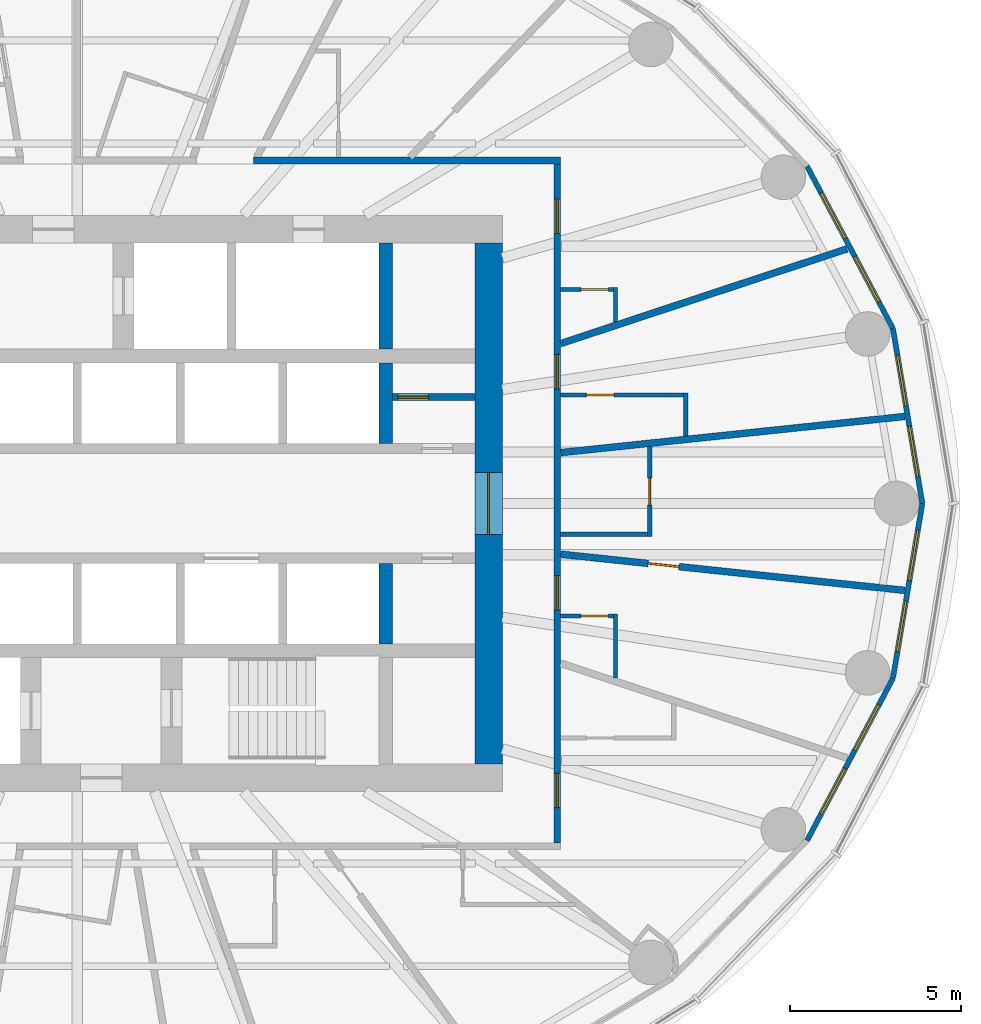
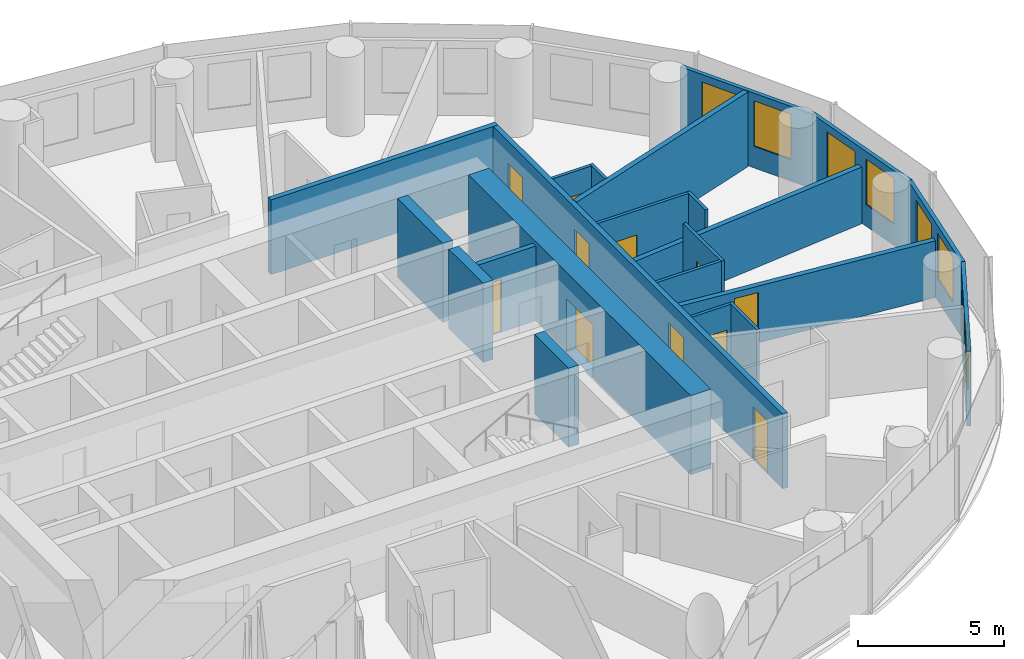
# One storey, part 10 of 13: 22 walls, 11 doors, 8 windows, 19 openings.
"""IFC4 building model written with IfcOpenShell, lengths in metres."""

import ifcopenshell
import ifcopenshell.guid

model = None  # the IFC model being written
_history = None  # IfcOwnerHistory: only IFC2X3 demands one
_inside = {}  # id of a spatial element -> (the spatial element, [elements in it])
_under = {}  # id of a project, library or spatial element -> (it, [spatial elements below it])
_declared = {}  # id of a project -> (the project, [libraries it declares])
_typed = {}  # id of a type object -> (the type object, [elements of that type])
_made_of = {}  # id of a material, layer set ... -> (it, [elements and type objects made of it])


def new_model(schema):
    """Start an empty IFC model of exactly this schema.

    Asked for "IFC4X3", IfcOpenShell would pick the latest addendum, in which some entities
    have other attributes; the version numbers below select the first issue.
    IFC2X3 requires an IfcOwnerHistory on every rooted entity: one is made here for all.
    """
    global model, _history
    if schema == "IFC4X3":
        model = ifcopenshell.file(schema_version=(4, 3, 0, 0))
    else:
        model = ifcopenshell.file(schema=schema)
    _inside.clear()
    _under.clear()
    _declared.clear()
    _typed.clear()
    _made_of.clear()
    _history = None
    if model.schema == "IFC2X3":
        org = make("IfcOrganization", Name="unknown")
        user = make(
            "IfcPersonAndOrganization",
            ThePerson=make("IfcPerson", FamilyName="unknown"),
            TheOrganization=org,
        )
        app = make(
            "IfcApplication",
            ApplicationDeveloper=org,
            Version="unknown",
            ApplicationFullName="unknown",
            ApplicationIdentifier="unknown",
        )
        _history = make(
            "IfcOwnerHistory",
            OwningUser=user,
            OwningApplication=app,
            ChangeAction="ADDED",
            CreationDate=0,
        )
    return model


def make(cls, **values):
    """One entity of the class cls with the attributes given. An attribute that is None is left unset."""
    return model.create_entity(
        cls, **{name: value for name, value in values.items() if value is not None}
    )


def rooted(cls, **values):
    """An entity with a GlobalId (a new one), such as an element, a storey or a relation."""
    return make(cls, GlobalId=ifcopenshell.guid.new(), OwnerHistory=_history, **values)


def si_unit(unit_type, name, prefix=None):
    """IfcSIUnit, for example si_unit("LENGTHUNIT", "METRE", prefix="MILLI")."""
    return make("IfcSIUnit", UnitType=unit_type, Prefix=prefix, Name=name)


def assignment(units):
    """IfcUnitAssignment: the units of a project."""
    return None if units is None else make("IfcUnitAssignment", Units=units)


def point(xyz):
    """IfcCartesianPoint."""
    return None if xyz is None else make("IfcCartesianPoint", Coordinates=xyz)


def direction(xyz):
    """IfcDirection."""
    return None if xyz is None else make("IfcDirection", DirectionRatios=xyz)


def frame(location, z_axis=None, x_axis=None):
    """IfcAxis2Placement3D, a coordinate frame: its origin and axes. An axis left out is left unset."""
    return make(
        "IfcAxis2Placement3D",
        Location=point(location),
        Axis=direction(z_axis),
        RefDirection=direction(x_axis),
    )


def frame_2d(location, x_axis=None):
    """IfcAxis2Placement2D, a coordinate frame in the plane: its origin and x axis."""
    return make(
        "IfcAxis2Placement2D", Location=point(location), RefDirection=direction(x_axis)
    )


def origin():
    """The frame at (0, 0, 0) with its axes left unset."""
    return frame((0.0, 0.0, 0.0))


def place(relative_to, where):
    """IfcLocalPlacement: puts the frame where relative to a parent placement (None: the world)."""
    return make(
        "IfcLocalPlacement", PlacementRelTo=relative_to, RelativePlacement=where
    )


def context(
    kind, dimensions, precision=None, world=None, true_north=None, identifier=None
):
    """IfcGeometricRepresentationContext, for example the 3D "Model" context."""
    return make(
        "IfcGeometricRepresentationContext",
        ContextIdentifier=identifier,
        ContextType=kind,
        CoordinateSpaceDimension=dimensions,
        Precision=precision,
        WorldCoordinateSystem=world,
        TrueNorth=true_north,
    )


def subcontext(parent, identifier, kind, view, scale=None):
    """IfcGeometricRepresentationSubContext, for example "Body" below "Model"."""
    return make(
        "IfcGeometricRepresentationSubContext",
        ContextIdentifier=identifier,
        ContextType=kind,
        ParentContext=parent,
        TargetScale=scale,
        TargetView=view,
    )


def project(units=None, contexts=None):
    """IfcProject with its units and contexts."""
    return rooted(
        "IfcProject",
        Name="project",
        RepresentationContexts=contexts,
        UnitsInContext=assignment(units),
    )


def spatial(cls, under=None, at=None, **own):
    """A site, building, storey or space (cls), placed at a placement, below another one or the project."""
    s = rooted(cls, ObjectPlacement=at, **own)
    if under is not None:
        _under.setdefault(under.id(), (under, []))[1].append(s)
    return s


def profile(cls, at=None, kind="AREA", **sizes):
    """A parametric profile (cls). Its sizes go by their IFC names, for example OverallWidth=200.0."""
    return make(cls, ProfileType=kind, Position=at, **sizes)


def rectangle(**sizes):
    """IfcRectangleProfileDef."""
    return profile("IfcRectangleProfileDef", **sizes)


def extrude(swept, where, along, depth):
    """IfcExtrudedAreaSolid: the profile swept, set in the frame where, extruded along a direction by depth."""
    return make(
        "IfcExtrudedAreaSolid",
        SweptArea=swept,
        Position=where,
        ExtrudedDirection=direction(along),
        Depth=depth,
    )


def shape(context_of_items, identifier, shape_type, items):
    """IfcShapeRepresentation: the items that make up one representation, for example the "Body"."""
    return make(
        "IfcShapeRepresentation",
        ContextOfItems=context_of_items,
        RepresentationIdentifier=identifier,
        RepresentationType=shape_type,
        Items=items,
    )


def material(Name=None, Category=None):
    """IfcMaterial."""
    return make("IfcMaterial", Name=Name, Category=Category)


def layer(
    of_material, thickness, ventilated=None, Name=None, Category=None, Priority=None
):
    """IfcMaterialLayer: one layer of a wall or slab, of a material (None: an air gap)."""
    return make(
        "IfcMaterialLayer",
        Material=of_material,
        LayerThickness=thickness,
        IsVentilated=ventilated,
        Name=Name,
        Category=Category,
        Priority=Priority,
    )


def layer_set(layers, Name=None):
    """IfcMaterialLayerSet."""
    return make("IfcMaterialLayerSet", MaterialLayers=layers, LayerSetName=Name)


def made_of(thing, what):
    """Note that an element or type object is made of a material, layer set ...; save() writes the relation."""
    if what is not None:
        _made_of.setdefault(what.id(), (what, []))[1].append(thing)
    return thing


def type_object(cls, material=None, **own):
    """A type object (cls), such as IfcWallType, which elements share."""
    return made_of(rooted(cls, **own), material)


def element(
    cls,
    number,
    at=None,
    inside=None,
    cuts=None,
    type_object=None,
    material=None,
    context=None,
    identifier="Body",
    shape_type=None,
    held_by="IfcProductDefinitionShape",
    body=None,
    shapes=None,
    **own,
):
    """One element of the class cls, such as IfcWall. Its Tag is "e" and its number.

    at: its placement. inside: the storey or other place that contains it. cuts: it is an
    opening in that element (IfcRelVoidsElement). A single representation is given by context,
    identifier, shape_type and body (its items); several are given by shapes. held_by: the class
    of the entity that holds the representations. save() writes the other relations.
    """
    e = rooted(cls, Tag="e%d" % number, ObjectPlacement=at, **own)
    if body is not None:
        shapes = [shape(context, identifier, shape_type, body)]
    if shapes is not None:
        e.Representation = make(held_by, Representations=shapes)
    if inside is not None:
        _inside.setdefault(inside.id(), (inside, []))[1].append(e)
    if cuts is not None:
        rooted(
            "IfcRelVoidsElement", RelatingBuildingElement=cuts, RelatedOpeningElement=e
        )
    if type_object is not None:
        _typed.setdefault(type_object.id(), (type_object, []))[1].append(e)
    return made_of(e, material)


def fill(opening, filler):
    """IfcRelFillsElement: the door or window that sits in an opening."""
    return rooted(
        "IfcRelFillsElement",
        RelatingOpeningElement=opening,
        RelatedBuildingElement=filler,
    )


def aggregate(whole, parts):
    """IfcRelAggregates: a whole, such as a stair, and the parts it consists of."""
    return rooted("IfcRelAggregates", RelatingObject=whole, RelatedObjects=parts)


def save(model, path):
    """Write the relations noted so far, then the file.

    IfcRelAggregates (storeys below a building ...), IfcRelContainedInSpatialStructure (elements
    in a storey), IfcRelDefinesByType, IfcRelAssociatesMaterial and IfcRelDeclares: one each for
    every whole, place, type object, material and project.
    """
    for whole, parts in _under.values():
        aggregate(whole, parts)
    for where, things in _inside.values():
        rooted(
            "IfcRelContainedInSpatialStructure",
            RelatedElements=things,
            RelatingStructure=where,
        )
    for kind, things in _typed.values():
        rooted("IfcRelDefinesByType", RelatedObjects=things, RelatingType=kind)
    for what, things in _made_of.values():
        rooted("IfcRelAssociatesMaterial", RelatedObjects=things, RelatingMaterial=what)
    for by, libraries in _declared.values():
        rooted("IfcRelDeclares", RelatingContext=by, RelatedDefinitions=libraries)
    model.write(path)


model = new_model("IFC4")

# Units and contexts
model_context = context("Model", 3, precision=1e-05, world=origin(), true_north=direction((0.0, 1.0)))
body_context = subcontext(model_context, "Body", "Model", "MODEL_VIEW")
ifc_project = project(units=[si_unit("LENGTHUNIT", "METRE"), si_unit("AREAUNIT", "SQUARE_METRE"), si_unit("VOLUMEUNIT", "CUBIC_METRE"), si_unit("PLANEANGLEUNIT", "RADIAN"), si_unit("MASSUNIT", "GRAM", prefix="KILO")], contexts=[model_context])

# Site, building, storey
site_placement = place(None, origin())
site = spatial("IfcSite", under=ifc_project, at=site_placement, CompositionType="ELEMENT")
building_placement = place(site_placement, origin())
building = spatial("IfcBuilding", under=site, at=building_placement, Name="Hankou Lantern Tower", CompositionType="ELEMENT")
storey_placement = place(building_placement, frame((0.0, 0.0, 132.0)))
storey = spatial("IfcBuildingStorey", under=building, at=storey_placement, Name="L34", CompositionType="ELEMENT", Elevation=132.0)

# Wall, opening, door
ifc_material_1 = material(Name="Concrete C60", Category="concrete")
ifc_layer_1 = layer(ifc_material_1, 0.800048828125)
ifc_layer_set_1 = layer_set([ifc_layer_1], Name="Concrete C60")
wall_type_1 = type_object("IfcWallType", Name="CW2 CORE WALL 800", PredefinedType="SHEAR", material=ifc_layer_set_1)
wall_1_placement = place(storey_placement, frame((12.0, -7.60009765625, 0.0), z_axis=(0.0, 0.0, 1.0), x_axis=(0.0, 1.0, 0.0)))
wall_1 = element("IfcWall", 1, at=wall_1_placement, inside=storey, type_object=wall_type_1, Name="Core wall east L34", PredefinedType="SHEAR", context=body_context, shape_type="SweptSolid", body=[
    extrude(rectangle(XDim=15.2001953125, YDim=0.800048828125, at=frame_2d((7.60009765625, 0.0))), origin(), (0.0, 0.0, 1.0), 3.300048828125),
])
opening_1_placement = place(wall_1_placement, frame((6.699951171875, 0.0, 0.0)))
opening_1 = element("IfcOpeningElement", 2, at=opening_1_placement, cuts=wall_1, Name="Opening D6", PredefinedType="OPENING", context=body_context, shape_type="SweptSolid", body=[
    extrude(rectangle(XDim=1.800048828125, YDim=2.199951171875, at=frame_2d((0.89990234375, 1.10009765625))), frame((0.0, 0.409912109375, 0.0), z_axis=(0.0, -1.0, 0.0), x_axis=(1.0, 0.0, 0.0)), (0.0, 0.0, 1.0), 0.820068359375),
])
ifc_material_2 = material(Name="Steel door leaf", Category="steel")
door_type_1 = type_object("IfcDoorType", Name="D6 LIFT LOBBY DOOR 1800X2200", OperationType="DOUBLE_DOOR_DOUBLE_SWING", PredefinedType="DOOR", material=ifc_material_2)
door_1_placement = place(opening_1_placement, origin())
door_1 = element("IfcDoor", 3, at=door_1_placement, inside=storey, type_object=door_type_1, Name="Lift lobby east door", OperationType="DOUBLE_DOOR_DOUBLE_SWING", OverallHeight=2.199951171875, OverallWidth=1.800048828125, PredefinedType="DOOR", context=body_context, shape_type="SweptSolid", body=[
    extrude(rectangle(XDim=1.800048828125, YDim=2.199951171875, at=frame_2d((0.89990234375, 1.10009765625))), frame((0.0, 0.02490234375, 0.0), z_axis=(0.0, -1.0, 0.0), x_axis=(1.0, 0.0, 0.0)), (0.0, 0.0, 1.0), 0.050048828125),
])
fill(opening_1, door_1)

# Walls
ifc_material_3 = material(Name="Concrete C60", Category="concrete")
ifc_layer_2 = layer(ifc_material_3, 0.39990234375)
ifc_layer_set_2 = layer_set([ifc_layer_2], Name="Concrete C60")
wall_type_2 = type_object("IfcWallType", Name="CW4 CORE CROSS WALL 400", PredefinedType="SHEAR", material=ifc_layer_set_2)
wall_2_placement = place(storey_placement, frame((9.0, 4.5, 0.0), z_axis=(0.0, 0.0, 1.0), x_axis=(0.0, 1.0, 0.0)))
element("IfcWall", 4, at=wall_2_placement, inside=storey, type_object=wall_type_2, Name="Core strip wall L34", PredefinedType="SHEAR", context=body_context, shape_type="SweptSolid", body=[
    extrude(rectangle(XDim=3.10009765625, YDim=0.39990234375, at=frame_2d((1.550048828125, 0.0))), origin(), (0.0, 0.0, 1.0), 3.300048828125),
])
for number, where, z_axis, x_axis, name in (
    (5, (9.0, 1.75, 0.0), (0.0, 0.0, 1.0), (0.0, 1.0, 0.0), "Core strip wall L34"),
    (6, (9.0, -4.10009765625, 0.0), (0.0, 0.0, 1.0), (0.0, 1.0, 0.0), "Core strip wall L34"),
):
    element("IfcWall", number, at=place(storey_placement, frame(where, z_axis=z_axis, x_axis=x_axis)), inside=storey, type_object=wall_type_2, Name=name, PredefinedType="SHEAR", context=body_context, shape_type="SweptSolid", body=[
        extrude(rectangle(XDim=2.35009765625, YDim=0.39990234375, at=frame_2d((1.175048828125, 0.0))), origin(), (0.0, 0.0, 1.0), 3.300048828125),
    ])

# Wall, openings, windows
ifc_material_4 = material(Name="Aluminium spandrel panel on steel studs", Category="steel")
ifc_layer_3 = layer(ifc_material_4, 0.14990234375)
ifc_layer_set_3 = layer_set([ifc_layer_3], Name="Aluminium spandrel panel on steel studs")
wall_type_3 = type_object("IfcWallType", Name="EW1 INNER SKIN WALL 150", PredefinedType="ELEMENTEDWALL", material=ifc_layer_set_3)
wall_3_placement = place(storey_placement, frame((24.64990234375, 0.0, 0.0), z_axis=(0.0, 0.0, 1.0), x_axis=(-0.165883894218, 0.986145290329, 0.0)))
wall_3 = element("IfcWall", 7, at=wall_3_placement, inside=storey, type_object=wall_type_3, Name="Inner skin R01-R02 L34", PredefinedType="ELEMENTEDWALL", context=body_context, shape_type="SweptSolid", body=[
    extrude(rectangle(XDim=5.171630859375, YDim=0.14990234375, at=frame_2d((2.5859375, 0.0))), origin(), (0.0, 0.0, 1.0), 3.1201171875),
])
opening_2_placement = place(wall_3_placement, frame((0.785888671875, 0.0, 0.89990234375)))
opening_2 = element("IfcOpeningElement", 8, at=opening_2_placement, cuts=wall_3, Name="Opening W2", PredefinedType="OPENING", context=body_context, shape_type="SweptSolid", body=[
    extrude(rectangle(XDim=1.5, YDim=1.89990234375, at=frame_2d((0.75, 0.949951171875))), frame((0.0, 0.0849609375, 0.0), z_axis=(0.0, -1.0, 0.0), x_axis=(1.0, 0.0, 0.0)), (0.0, 0.0, 1.0), 0.169921875),
])
opening_3_placement = place(wall_3_placement, frame((2.8857421875, 0.0, 0.89990234375)))
opening_3 = element("IfcOpeningElement", 9, at=opening_3_placement, cuts=wall_3, Name="Opening W2", PredefinedType="OPENING", context=body_context, shape_type="SweptSolid", body=[
    extrude(rectangle(XDim=1.5, YDim=1.89990234375, at=frame_2d((0.75, 0.949951171875))), frame((0.0, 0.0849609375, 0.0), z_axis=(0.0, -1.0, 0.0), x_axis=(1.0, 0.0, 0.0)), (0.0, 0.0, 1.0), 0.169921875),
])
ifc_material_5 = material(Name="Aluminium framed double glazed window", Category="aluminium")
window_type = type_object("IfcWindowType", Name="W2 GUEST ROOM WINDOW 1500X1900", PartitioningType="DOUBLE_PANEL_VERTICAL", PredefinedType="WINDOW", material=ifc_material_5)
window_1_placement = place(opening_2_placement, origin())
window_1 = element("IfcWindow", 10, at=window_1_placement, inside=storey, type_object=window_type, Name="Window R01.1 L34", OverallHeight=1.89990234375, OverallWidth=1.5, PartitioningType="SINGLE_PANEL", PredefinedType="WINDOW", context=body_context, shape_type="SweptSolid", body=[
    extrude(rectangle(XDim=1.5, YDim=1.89990234375, at=frame_2d((0.75, 0.949951171875))), frame((0.0, 0.030029296875, 0.0), z_axis=(0.0, -1.0, 0.0), x_axis=(1.0, 0.0, 0.0)), (0.0, 0.0, 1.0), 0.06005859375),
])
fill(opening_2, window_1)
window_2_placement = place(opening_3_placement, origin())
window_2 = element("IfcWindow", 11, at=window_2_placement, inside=storey, type_object=window_type, Name="Window R01.2 L34", OverallHeight=1.89990234375, OverallWidth=1.5, PartitioningType="SINGLE_PANEL", PredefinedType="WINDOW", context=body_context, shape_type="SweptSolid", body=[
    extrude(rectangle(XDim=1.5, YDim=1.89990234375, at=frame_2d((0.75, 0.949951171875))), frame((0.0, 0.030029296875, 0.0), z_axis=(0.0, -1.0, 0.0), x_axis=(1.0, 0.0, 0.0)), (0.0, 0.0, 1.0), 0.06005859375),
])
fill(opening_3, window_2)

wall_4_placement = place(storey_placement, frame((23.7919921875, 5.10009765625, 0.0), z_axis=(0.0, 0.0, 1.0), x_axis=(-0.467814388454, 0.883826735257, 0.0)))
wall_4 = element("IfcWall", 12, at=wall_4_placement, inside=storey, type_object=wall_type_3, Name="Inner skin R02-R03 L34", PredefinedType="ELEMENTEDWALL", context=body_context, shape_type="SweptSolid", body=[
    extrude(rectangle(XDim=5.35400390625, YDim=0.14990234375, at=frame_2d((2.677001953125, 0.0))), origin(), (0.0, 0.0, 1.0), 3.1201171875),
])
opening_4_placement = place(wall_4_placement, frame((0.876953125, 0.0, 0.89990234375)))
opening_4 = element("IfcOpeningElement", 13, at=opening_4_placement, cuts=wall_4, Name="Opening W2", PredefinedType="OPENING", context=body_context, shape_type="SweptSolid", body=[
    extrude(rectangle(XDim=1.5, YDim=1.89990234375, at=frame_2d((0.75, 0.949951171875))), frame((0.0, 0.0849609375, 0.0), z_axis=(0.0, -1.0, 0.0), x_axis=(1.0, 0.0, 0.0)), (0.0, 0.0, 1.0), 0.169921875),
])
opening_5_placement = place(wall_4_placement, frame((2.97705078125, 0.0, 0.89990234375)))
opening_5 = element("IfcOpeningElement", 14, at=opening_5_placement, cuts=wall_4, Name="Opening W2", PredefinedType="OPENING", context=body_context, shape_type="SweptSolid", body=[
    extrude(rectangle(XDim=1.5, YDim=1.89990234375, at=frame_2d((0.75, 0.949951171875))), frame((0.0, 0.0849609375, 0.0), z_axis=(0.0, -1.0, 0.0), x_axis=(1.0, 0.0, 0.0)), (0.0, 0.0, 1.0), 0.169921875),
])
window_3_placement = place(opening_4_placement, origin())
window_3 = element("IfcWindow", 15, at=window_3_placement, inside=storey, type_object=window_type, Name="Window R02.1 L34", OverallHeight=1.89990234375, OverallWidth=1.5, PartitioningType="SINGLE_PANEL", PredefinedType="WINDOW", context=body_context, shape_type="SweptSolid", body=[
    extrude(rectangle(XDim=1.5, YDim=1.89990234375, at=frame_2d((0.75, 0.949951171875))), frame((0.0, 0.030029296875, 0.0), z_axis=(0.0, -1.0, 0.0), x_axis=(1.0, 0.0, 0.0)), (0.0, 0.0, 1.0), 0.06005859375),
])
fill(opening_4, window_3)
window_4_placement = place(opening_5_placement, origin())
window_4 = element("IfcWindow", 16, at=window_4_placement, inside=storey, type_object=window_type, Name="Window R02.2 L34", OverallHeight=1.89990234375, OverallWidth=1.5, PartitioningType="SINGLE_PANEL", PredefinedType="WINDOW", context=body_context, shape_type="SweptSolid", body=[
    extrude(rectangle(XDim=1.5, YDim=1.89990234375, at=frame_2d((0.75, 0.949951171875))), frame((0.0, 0.030029296875, 0.0), z_axis=(0.0, -1.0, 0.0), x_axis=(1.0, 0.0, 0.0)), (0.0, 0.0, 1.0), 0.06005859375),
])
fill(opening_5, window_4)

wall_5_placement = place(storey_placement, frame((21.287353515625, -9.83203125, 0.0), z_axis=(0.0, 0.0, 1.0), x_axis=(0.467814388454, 0.883826735257, 0.0)))
wall_5 = element("IfcWall", 17, at=wall_5_placement, inside=storey, type_object=wall_type_3, Name="Inner skin R23-R24 L34", PredefinedType="ELEMENTEDWALL", context=body_context, shape_type="SweptSolid", body=[
    extrude(rectangle(XDim=5.35400390625, YDim=0.14990234375, at=frame_2d((2.677001953125, 0.0))), origin(), (0.0, 0.0, 1.0), 3.1201171875),
])
opening_6_placement = place(wall_5_placement, frame((0.876953125, 0.0, 0.89990234375)))
opening_6 = element("IfcOpeningElement", 18, at=opening_6_placement, cuts=wall_5, Name="Opening W2", PredefinedType="OPENING", context=body_context, shape_type="SweptSolid", body=[
    extrude(rectangle(XDim=1.5, YDim=1.89990234375, at=frame_2d((0.75, 0.949951171875))), frame((0.0, 0.0849609375, 0.0), z_axis=(0.0, -1.0, 0.0), x_axis=(1.0, 0.0, 0.0)), (0.0, 0.0, 1.0), 0.169921875),
])
opening_7_placement = place(wall_5_placement, frame((2.97705078125, 0.0, 0.89990234375)))
opening_7 = element("IfcOpeningElement", 19, at=opening_7_placement, cuts=wall_5, Name="Opening W2", PredefinedType="OPENING", context=body_context, shape_type="SweptSolid", body=[
    extrude(rectangle(XDim=1.5, YDim=1.89990234375, at=frame_2d((0.75, 0.949951171875))), frame((0.0, 0.0849609375, 0.0), z_axis=(0.0, -1.0, 0.0), x_axis=(1.0, 0.0, 0.0)), (0.0, 0.0, 1.0), 0.169921875),
])
window_5_placement = place(opening_6_placement, origin())
window_5 = element("IfcWindow", 20, at=window_5_placement, inside=storey, type_object=window_type, Name="Window R23.1 L34", OverallHeight=1.89990234375, OverallWidth=1.5, PartitioningType="SINGLE_PANEL", PredefinedType="WINDOW", context=body_context, shape_type="SweptSolid", body=[
    extrude(rectangle(XDim=1.5, YDim=1.89990234375, at=frame_2d((0.75, 0.949951171875))), frame((0.0, 0.030029296875, 0.0), z_axis=(0.0, -1.0, 0.0), x_axis=(1.0, 0.0, 0.0)), (0.0, 0.0, 1.0), 0.06005859375),
])
fill(opening_6, window_5)
window_6_placement = place(opening_7_placement, origin())
window_6 = element("IfcWindow", 21, at=window_6_placement, inside=storey, type_object=window_type, Name="Window R23.2 L34", OverallHeight=1.89990234375, OverallWidth=1.5, PartitioningType="SINGLE_PANEL", PredefinedType="WINDOW", context=body_context, shape_type="SweptSolid", body=[
    extrude(rectangle(XDim=1.5, YDim=1.89990234375, at=frame_2d((0.75, 0.949951171875))), frame((0.0, 0.030029296875, 0.0), z_axis=(0.0, -1.0, 0.0), x_axis=(1.0, 0.0, 0.0)), (0.0, 0.0, 1.0), 0.06005859375),
])
fill(opening_7, window_6)

wall_6_placement = place(storey_placement, frame((23.7919921875, -5.10009765625, 0.0), z_axis=(0.0, 0.0, 1.0), x_axis=(0.165883894218, 0.986145290329, 0.0)))
wall_6 = element("IfcWall", 22, at=wall_6_placement, inside=storey, type_object=wall_type_3, Name="Inner skin R24-R01 L34", PredefinedType="ELEMENTEDWALL", context=body_context, shape_type="SweptSolid", body=[
    extrude(rectangle(XDim=5.171630859375, YDim=0.14990234375, at=frame_2d((2.5859375, 0.0))), origin(), (0.0, 0.0, 1.0), 3.1201171875),
])
opening_8_placement = place(wall_6_placement, frame((0.785888671875, 0.0, 0.89990234375)))
opening_8 = element("IfcOpeningElement", 23, at=opening_8_placement, cuts=wall_6, Name="Opening W2", PredefinedType="OPENING", context=body_context, shape_type="SweptSolid", body=[
    extrude(rectangle(XDim=1.5, YDim=1.89990234375, at=frame_2d((0.75, 0.949951171875))), frame((0.0, 0.0849609375, 0.0), z_axis=(0.0, -1.0, 0.0), x_axis=(1.0, 0.0, 0.0)), (0.0, 0.0, 1.0), 0.169921875),
])
opening_9_placement = place(wall_6_placement, frame((2.8857421875, 0.0, 0.89990234375)))
opening_9 = element("IfcOpeningElement", 24, at=opening_9_placement, cuts=wall_6, Name="Opening W2", PredefinedType="OPENING", context=body_context, shape_type="SweptSolid", body=[
    extrude(rectangle(XDim=1.5, YDim=1.89990234375, at=frame_2d((0.75, 0.949951171875))), frame((0.0, 0.0849609375, 0.0), z_axis=(0.0, -1.0, 0.0), x_axis=(1.0, 0.0, 0.0)), (0.0, 0.0, 1.0), 0.169921875),
])
window_7_placement = place(opening_8_placement, origin())
window_7 = element("IfcWindow", 25, at=window_7_placement, inside=storey, type_object=window_type, Name="Window R24.1 L34", OverallHeight=1.89990234375, OverallWidth=1.5, PartitioningType="SINGLE_PANEL", PredefinedType="WINDOW", context=body_context, shape_type="SweptSolid", body=[
    extrude(rectangle(XDim=1.5, YDim=1.89990234375, at=frame_2d((0.75, 0.949951171875))), frame((0.0, 0.030029296875, 0.0), z_axis=(0.0, -1.0, 0.0), x_axis=(1.0, 0.0, 0.0)), (0.0, 0.0, 1.0), 0.06005859375),
])
fill(opening_8, window_7)
window_8_placement = place(opening_9_placement, origin())
window_8 = element("IfcWindow", 26, at=window_8_placement, inside=storey, type_object=window_type, Name="Window R24.2 L34", OverallHeight=1.89990234375, OverallWidth=1.5, PartitioningType="SINGLE_PANEL", PredefinedType="WINDOW", context=body_context, shape_type="SweptSolid", body=[
    extrude(rectangle(XDim=1.5, YDim=1.89990234375, at=frame_2d((0.75, 0.949951171875))), frame((0.0, 0.030029296875, 0.0), z_axis=(0.0, -1.0, 0.0), x_axis=(1.0, 0.0, 0.0)), (0.0, 0.0, 1.0), 0.06005859375),
])
fill(opening_9, window_8)

# Walls
ifc_material_6 = material(Name="Masonry lightweight concrete block", Category="masonry")
ifc_layer_4 = layer(ifc_material_6, 0.199951171875)
ifc_layer_set_4 = layer_set([ifc_layer_4], Name="Masonry lightweight concrete block")
wall_type_4 = type_object("IfcWallType", Name="IW1 GUEST ROOM PARTY WALL 200", PredefinedType="PARTITIONING", material=ifc_layer_set_4)
wall_7_placement = place(storey_placement, frame((14.10009765625, 1.481689453125, 0.0), z_axis=(0.0, 0.0, 1.0), x_axis=(0.994523202615, 0.104516024894, 0.0)))
element("IfcWall", 27, at=wall_7_placement, inside=storey, type_object=wall_type_4, Name="Party wall R01-R02", PredefinedType="PARTITIONING", context=body_context, shape_type="SweptSolid", body=[
    extrude(rectangle(XDim=10.091064453125, YDim=0.199951171875, at=frame_2d((5.04541015625, 0.0))), origin(), (0.0, 0.0, 1.0), 2.3701171875),
])
wall_8_placement = place(storey_placement, frame((14.10009765625, 4.662353515625, 0.0), z_axis=(0.0, 0.0, 1.0), x_axis=(0.949446466373, 0.313928984789, 0.0)))
element("IfcWall", 28, at=wall_8_placement, inside=storey, type_object=wall_type_4, Name="Party wall R02-R03", PredefinedType="PARTITIONING", context=body_context, shape_type="SweptSolid", body=[
    extrude(rectangle(XDim=8.79736328125, YDim=0.199951171875, at=frame_2d((4.398681640625, 0.0))), origin(), (0.0, 0.0, 1.0), 3.1201171875),
])

# Wall, openings, doors
ifc_material_7 = material(Name="Masonry lightweight concrete block", Category="masonry")
ifc_layer_5 = layer(ifc_material_7, 0.199951171875)
ifc_layer_set_5 = layer_set([ifc_layer_5], Name="Masonry lightweight concrete block")
wall_type_5 = type_object("IfcWallType", Name="IW2 CORRIDOR WALL 200", PredefinedType="PARTITIONING", material=ifc_layer_set_5)
wall_9_placement = place(storey_placement, frame((14.0, -9.89990234375, 0.0), z_axis=(0.0, 0.0, 1.0), x_axis=(0.0, 1.0, 0.0)))
wall_9 = element("IfcWall", 29, at=wall_9_placement, inside=storey, type_object=wall_type_5, Name="Corridor wall east", PredefinedType="PARTITIONING", context=body_context, shape_type="SweptSolid", body=[
    extrude(rectangle(XDim=19.7998046875, YDim=0.199951171875, at=frame_2d((9.89990234375, 0.0))), origin(), (0.0, 0.0, 1.0), 3.1201171875),
])
opening_10_placement = place(wall_9_placement, frame((1.02490234375, 0.0, 0.0)))
opening_10 = element("IfcOpeningElement", 30, at=opening_10_placement, cuts=wall_9, Name="Opening D1", PredefinedType="OPENING", context=body_context, shape_type="SweptSolid", body=[
    extrude(rectangle(XDim=1.0, YDim=2.199951171875, at=frame_2d((0.5, 1.10009765625))), frame((0.0, 0.10986328125, 0.0), z_axis=(0.0, -1.0, 0.0), x_axis=(1.0, 0.0, 0.0)), (0.0, 0.0, 1.0), 0.219970703125),
])
opening_11_placement = place(wall_9_placement, frame((6.797607421875, 0.0, 0.0)))
opening_11 = element("IfcOpeningElement", 31, at=opening_11_placement, cuts=wall_9, Name="Opening D2", PredefinedType="OPENING", context=body_context, shape_type="SweptSolid", body=[
    extrude(rectangle(XDim=1.0, YDim=2.199951171875, at=frame_2d((0.5, 1.10009765625))), frame((0.0, 0.10986328125, 0.0), z_axis=(0.0, -1.0, 0.0), x_axis=(1.0, 0.0, 0.0)), (0.0, 0.0, 1.0), 0.219970703125),
])
opening_12_placement = place(wall_9_placement, frame((13.24169921875, 0.0, 0.0)))
opening_12 = element("IfcOpeningElement", 32, at=opening_12_placement, cuts=wall_9, Name="Opening D1", PredefinedType="OPENING", context=body_context, shape_type="SweptSolid", body=[
    extrude(rectangle(XDim=1.0, YDim=2.199951171875, at=frame_2d((0.5, 1.10009765625))), frame((0.0, 0.10986328125, 0.0), z_axis=(0.0, -1.0, 0.0), x_axis=(1.0, 0.0, 0.0)), (0.0, 0.0, 1.0), 0.219970703125),
])
opening_13_placement = place(wall_9_placement, frame((17.77734375, 0.0, 0.0)))
opening_13 = element("IfcOpeningElement", 33, at=opening_13_placement, cuts=wall_9, Name="Opening D2", PredefinedType="OPENING", context=body_context, shape_type="SweptSolid", body=[
    extrude(rectangle(XDim=1.0, YDim=2.199951171875, at=frame_2d((0.5, 1.10009765625))), frame((0.0, 0.10986328125, 0.0), z_axis=(0.0, -1.0, 0.0), x_axis=(1.0, 0.0, 0.0)), (0.0, 0.0, 1.0), 0.219970703125),
])
ifc_material_8 = material(Name="Steel door leaf", Category="steel")
door_type_2 = type_object("IfcDoorType", Name="D1 GUEST ROOM DOOR 1000X2200", OperationType="SINGLE_SWING_LEFT", PredefinedType="DOOR", material=ifc_material_8)
door_2_placement = place(opening_10_placement, origin())
door_2 = element("IfcDoor", 34, at=door_2_placement, inside=storey, type_object=door_type_2, Name="Guest room door 3415", OperationType="SINGLE_SWING_LEFT", OverallHeight=2.199951171875, OverallWidth=1.0, PredefinedType="DOOR", context=body_context, shape_type="SweptSolid", body=[
    extrude(rectangle(XDim=1.0, YDim=2.199951171875, at=frame_2d((0.5, 1.10009765625))), frame((0.0, 0.02490234375, 0.0), z_axis=(0.0, -1.0, 0.0), x_axis=(1.0, 0.0, 0.0)), (0.0, 0.0, 1.0), 0.050048828125),
])
fill(opening_10, door_2)
door_3_placement = place(opening_12_placement, origin())
door_3 = element("IfcDoor", 35, at=door_3_placement, inside=storey, type_object=door_type_2, Name="Guest room door 3417", OperationType="SINGLE_SWING_RIGHT", OverallHeight=2.199951171875, OverallWidth=1.0, PredefinedType="DOOR", context=body_context, shape_type="SweptSolid", body=[
    extrude(rectangle(XDim=1.0, YDim=2.199951171875, at=frame_2d((0.5, 1.10009765625))), frame((0.0, 0.02490234375, 0.0), z_axis=(0.0, -1.0, 0.0), x_axis=(1.0, 0.0, 0.0)), (0.0, 0.0, 1.0), 0.050048828125),
])
fill(opening_12, door_3)
ifc_material_9 = material(Name="Steel door leaf", Category="steel")
door_type_3 = type_object("IfcDoorType", Name="D2 SUITE DOOR 1000X2200", OperationType="SINGLE_SWING_LEFT", PredefinedType="DOOR", material=ifc_material_9)
door_4_placement = place(opening_11_placement, origin())
door_4 = element("IfcDoor", 36, at=door_4_placement, inside=storey, type_object=door_type_3, Name="Suite door 3416C", OperationType="SINGLE_SWING_LEFT", OverallHeight=2.199951171875, OverallWidth=1.0, PredefinedType="DOOR", context=body_context, shape_type="SweptSolid", body=[
    extrude(rectangle(XDim=1.0, YDim=2.199951171875, at=frame_2d((0.5, 1.10009765625))), frame((0.0, 0.02490234375, 0.0), z_axis=(0.0, -1.0, 0.0), x_axis=(1.0, 0.0, 0.0)), (0.0, 0.0, 1.0), 0.050048828125),
])
fill(opening_11, door_4)
door_5_placement = place(opening_13_placement, origin())
door_5 = element("IfcDoor", 37, at=door_5_placement, inside=storey, type_object=door_type_3, Name="Suite door 3418C", OperationType="SINGLE_SWING_RIGHT", OverallHeight=2.199951171875, OverallWidth=1.0, PredefinedType="DOOR", context=body_context, shape_type="SweptSolid", body=[
    extrude(rectangle(XDim=1.0, YDim=2.199951171875, at=frame_2d((0.5, 1.10009765625))), frame((0.0, 0.02490234375, 0.0), z_axis=(0.0, -1.0, 0.0), x_axis=(1.0, 0.0, 0.0)), (0.0, 0.0, 1.0), 0.050048828125),
])
fill(opening_13, door_5)

# Walls
wall_10_placement = place(storey_placement, frame((5.13916015625, 10.0, 0.0), z_axis=(0.0, 0.0, 1.0), x_axis=(1.0, 0.0, 0.0)))
element("IfcWall", 38, at=wall_10_placement, inside=storey, type_object=wall_type_5, Name="Corridor wall north", PredefinedType="PARTITIONING", context=body_context, shape_type="SweptSolid", body=[
    extrude(rectangle(XDim=8.9609375, YDim=0.199951171875, at=frame_2d((4.48046875, 0.0))), origin(), (0.0, 0.0, 1.0), 3.1201171875),
])
ifc_material_10 = material(Name="Masonry lightweight concrete block", Category="masonry")
ifc_layer_6 = layer(ifc_material_10, 0.1201171875)
ifc_layer_set_6 = layer_set([ifc_layer_6], Name="Masonry lightweight concrete block")
wall_type_6 = type_object("IfcWallType", Name="IW3 BATHROOM WALL 120", PredefinedType="PARTITIONING", material=ifc_layer_set_6)
wall_11_placement = place(storey_placement, frame((15.699951171875, -5.09130859375, 0.0), z_axis=(0.0, 0.0, 1.0), x_axis=(0.0, 1.0, 0.0)))
element("IfcWall", 39, at=wall_11_placement, inside=storey, type_object=wall_type_6, Name="Box wall 3416C 1", PredefinedType="PARTITIONING", context=body_context, shape_type="SweptSolid", body=[
    extrude(rectangle(XDim=1.868896484375, YDim=0.1201171875, at=frame_2d((0.9345703125, 0.0))), origin(), (0.0, 0.0, 1.0), 3.1201171875),
])

# Wall, opening, door
wall_12_placement = place(storey_placement, frame((14.10009765625, -3.2822265625, 0.0), z_axis=(0.0, 0.0, 1.0), x_axis=(1.0, 0.0, 0.0)))
wall_12 = element("IfcWall", 40, at=wall_12_placement, inside=storey, type_object=wall_type_6, Name="Box wall 3416C 1", PredefinedType="PARTITIONING", context=body_context, shape_type="SweptSolid", body=[
    extrude(rectangle(XDim=1.539794921875, YDim=0.1201171875, at=frame_2d((0.77001953125, 0.0))), origin(), (0.0, 0.0, 1.0), 3.1201171875),
])
opening_14_placement = place(wall_12_placement, frame((0.590087890625, 0.0, 0.0)))
opening_14 = element("IfcOpeningElement", 41, at=opening_14_placement, cuts=wall_12, Name="Opening D3", PredefinedType="OPENING", context=body_context, shape_type="SweptSolid", body=[
    extrude(rectangle(XDim=0.800048828125, YDim=2.10009765625, at=frame_2d((0.39990234375, 1.050048828125))), frame((0.0, 0.070068359375, 0.0), z_axis=(0.0, -1.0, 0.0), x_axis=(1.0, 0.0, 0.0)), (0.0, 0.0, 1.0), 0.14013671875),
])
ifc_material_11 = material(Name="Timber door leaf", Category="wood")
door_type_4 = type_object("IfcDoorType", Name="D3 BATHROOM DOOR 800X2100", OperationType="SINGLE_SWING_LEFT", PredefinedType="DOOR", material=ifc_material_11)
door_6_placement = place(opening_14_placement, origin())
door_6 = element("IfcDoor", 42, at=door_6_placement, inside=storey, type_object=door_type_4, Name="Suite 3416 guest WC door", OperationType="SINGLE_SWING_LEFT", OverallHeight=2.10009765625, OverallWidth=0.800048828125, PredefinedType="DOOR", context=body_context, shape_type="SweptSolid", body=[
    extrude(rectangle(XDim=0.800048828125, YDim=2.10009765625, at=frame_2d((0.39990234375, 1.050048828125))), frame((0.0, 0.02490234375, 0.0), z_axis=(0.0, -1.0, 0.0), x_axis=(1.0, 0.0, 0.0)), (0.0, 0.0, 1.0), 0.050048828125),
])
fill(opening_14, door_6)

wall_13_placement = place(storey_placement, frame((16.699951171875, 1.655029296875, 0.0), z_axis=(0.0, 0.0, 1.0), x_axis=(0.0, -1.0, 0.0)))
wall_13 = element("IfcWall", 43, at=wall_13_placement, inside=storey, type_object=wall_type_6, Name="Box wall 3416A 1", PredefinedType="PARTITIONING", context=body_context, shape_type="SweptSolid", body=[
    extrude(rectangle(XDim=2.61328125, YDim=0.1201171875, at=frame_2d((1.306640625, 0.0))), origin(), (0.0, 0.0, 1.0), 3.1201171875),
])
opening_15_placement = place(wall_13_placement, frame((0.906494140625, 0.0, 0.0)))
opening_15 = element("IfcOpeningElement", 44, at=opening_15_placement, cuts=wall_13, Name="Opening D3", PredefinedType="OPENING", context=body_context, shape_type="SweptSolid", body=[
    extrude(rectangle(XDim=0.800048828125, YDim=2.10009765625, at=frame_2d((0.39990234375, 1.050048828125))), frame((0.0, 0.070068359375, 0.0), z_axis=(0.0, -1.0, 0.0), x_axis=(1.0, 0.0, 0.0)), (0.0, 0.0, 1.0), 0.14013671875),
])
door_7_placement = place(opening_15_placement, origin())
door_7 = element("IfcDoor", 45, at=door_7_placement, inside=storey, type_object=door_type_4, Name="Suite 3416 bathroom door", OperationType="SINGLE_SWING_LEFT", OverallHeight=2.10009765625, OverallWidth=0.800048828125, PredefinedType="DOOR", context=body_context, shape_type="SweptSolid", body=[
    extrude(rectangle(XDim=0.800048828125, YDim=2.10009765625, at=frame_2d((0.39990234375, 1.050048828125))), frame((0.0, 0.02490234375, 0.0), z_axis=(0.0, -1.0, 0.0), x_axis=(1.0, 0.0, 0.0)), (0.0, 0.0, 1.0), 0.050048828125),
])
fill(opening_15, door_7)

# Walls
wall_14_placement = place(storey_placement, frame((14.10009765625, -0.898193359375, 0.0), z_axis=(0.0, 0.0, 1.0), x_axis=(1.0, 0.0, 0.0)))
element("IfcWall", 46, at=wall_14_placement, inside=storey, type_object=wall_type_6, Name="Box wall 3416A 1", PredefinedType="PARTITIONING", context=body_context, shape_type="SweptSolid", body=[
    extrude(rectangle(XDim=2.539794921875, YDim=0.1201171875, at=frame_2d((1.27001953125, 0.0))), origin(), (0.0, 0.0, 1.0), 3.1201171875),
])
wall_15_placement = place(storey_placement, frame((17.75, 1.96533203125, 0.0), z_axis=(0.0, 0.0, 1.0), x_axis=(0.0, 1.0, 0.0)))
element("IfcWall", 47, at=wall_15_placement, inside=storey, type_object=wall_type_6, Name="Box wall 3417 1", PredefinedType="PARTITIONING", context=body_context, shape_type="SweptSolid", body=[
    extrude(rectangle(XDim=1.25634765625, YDim=0.1201171875, at=frame_2d((0.628173828125, 0.0))), origin(), (0.0, 0.0, 1.0), 3.1201171875),
])

# Wall, opening, door
wall_16_placement = place(storey_placement, frame((14.10009765625, 3.161865234375, 0.0), z_axis=(0.0, 0.0, 1.0), x_axis=(1.0, 0.0, 0.0)))
wall_16 = element("IfcWall", 48, at=wall_16_placement, inside=storey, type_object=wall_type_6, Name="Box wall 3417 1", PredefinedType="PARTITIONING", context=body_context, shape_type="SweptSolid", body=[
    extrude(rectangle(XDim=3.58984375, YDim=0.1201171875, at=frame_2d((1.794921875, 0.0))), origin(), (0.0, 0.0, 1.0), 3.1201171875),
])
opening_16_placement = place(wall_16_placement, frame((0.75, 0.0, 0.0)))
opening_16 = element("IfcOpeningElement", 49, at=opening_16_placement, cuts=wall_16, Name="Opening D3", PredefinedType="OPENING", context=body_context, shape_type="SweptSolid", body=[
    extrude(rectangle(XDim=0.800048828125, YDim=2.10009765625, at=frame_2d((0.39990234375, 1.050048828125))), frame((0.0, 0.070068359375, 0.0), z_axis=(0.0, -1.0, 0.0), x_axis=(1.0, 0.0, 0.0)), (0.0, 0.0, 1.0), 0.14013671875),
])
door_8_placement = place(opening_16_placement, origin())
door_8 = element("IfcDoor", 50, at=door_8_placement, inside=storey, type_object=door_type_4, Name="En-suite bathroom 3417 door", OperationType="SINGLE_SWING_LEFT", OverallHeight=2.10009765625, OverallWidth=0.800048828125, PredefinedType="DOOR", context=body_context, shape_type="SweptSolid", body=[
    extrude(rectangle(XDim=0.800048828125, YDim=2.10009765625, at=frame_2d((0.39990234375, 1.050048828125))), frame((0.0, 0.02490234375, 0.0), z_axis=(0.0, -1.0, 0.0), x_axis=(1.0, 0.0, 0.0)), (0.0, 0.0, 1.0), 0.050048828125),
])
fill(opening_16, door_8)

# Wall
wall_17_placement = place(storey_placement, frame((15.699951171875, 5.291259765625, 0.0), z_axis=(0.0, 0.0, 1.0), x_axis=(0.0, 1.0, 0.0)))
element("IfcWall", 51, at=wall_17_placement, inside=storey, type_object=wall_type_6, Name="Box wall 3418C 1", PredefinedType="PARTITIONING", context=body_context, shape_type="SweptSolid", body=[
    extrude(rectangle(XDim=1.010986328125, YDim=0.1201171875, at=frame_2d((0.50537109375, 0.0))), origin(), (0.0, 0.0, 1.0), 3.1201171875),
])

# Wall, opening, door
wall_18_placement = place(storey_placement, frame((14.10009765625, 6.2421875, 0.0), z_axis=(0.0, 0.0, 1.0), x_axis=(1.0, 0.0, 0.0)))
wall_18 = element("IfcWall", 52, at=wall_18_placement, inside=storey, type_object=wall_type_6, Name="Box wall 3418C 1", PredefinedType="PARTITIONING", context=body_context, shape_type="SweptSolid", body=[
    extrude(rectangle(XDim=1.539794921875, YDim=0.1201171875, at=frame_2d((0.77001953125, 0.0))), origin(), (0.0, 0.0, 1.0), 3.1201171875),
])
opening_17_placement = place(wall_18_placement, frame((0.590087890625, 0.0, 0.0)))
opening_17 = element("IfcOpeningElement", 53, at=opening_17_placement, cuts=wall_18, Name="Opening D3", PredefinedType="OPENING", context=body_context, shape_type="SweptSolid", body=[
    extrude(rectangle(XDim=0.800048828125, YDim=2.10009765625, at=frame_2d((0.39990234375, 1.050048828125))), frame((0.0, 0.070068359375, 0.0), z_axis=(0.0, -1.0, 0.0), x_axis=(1.0, 0.0, 0.0)), (0.0, 0.0, 1.0), 0.14013671875),
])
door_9_placement = place(opening_17_placement, origin())
door_9 = element("IfcDoor", 54, at=door_9_placement, inside=storey, type_object=door_type_4, Name="Corner suite 3418 guest WC door", OperationType="SINGLE_SWING_LEFT", OverallHeight=2.10009765625, OverallWidth=0.800048828125, PredefinedType="DOOR", context=body_context, shape_type="SweptSolid", body=[
    extrude(rectangle(XDim=0.800048828125, YDim=2.10009765625, at=frame_2d((0.39990234375, 1.050048828125))), frame((0.0, 0.02490234375, 0.0), z_axis=(0.0, -1.0, 0.0), x_axis=(1.0, 0.0, 0.0)), (0.0, 0.0, 1.0), 0.050048828125),
])
fill(opening_17, door_9)

ifc_material_12 = material(Name="Masonry lightweight concrete block", Category="masonry")
ifc_layer_7 = layer(ifc_material_12, 0.199951171875)
ifc_layer_set_7 = layer_set([ifc_layer_7], Name="Masonry lightweight concrete block")
wall_type_7 = type_object("IfcWallType", Name="IW6 SUITE PARTITION 200", PredefinedType="PARTITIONING", material=ifc_layer_set_7)
wall_19_placement = place(storey_placement, frame((14.10009765625, -1.481689453125, 0.0), z_axis=(0.0, 0.0, 1.0), x_axis=(0.994523202615, -0.104516024894, 0.0)))
wall_19 = element("IfcWall", 55, at=wall_19_placement, inside=storey, type_object=wall_type_7, Name="Suite partition R24-R01", PredefinedType="PARTITIONING", context=body_context, shape_type="SweptSolid", body=[
    extrude(rectangle(XDim=10.091064453125, YDim=0.199951171875, at=frame_2d((5.04541015625, 0.0))), origin(), (0.0, 0.0, 1.0), 2.3701171875),
])
opening_18_placement = place(wall_19_placement, frame((2.570068359375, 0.0, 0.0)))
opening_18 = element("IfcOpeningElement", 56, at=opening_18_placement, cuts=wall_19, Name="Opening D27", PredefinedType="OPENING", context=body_context, shape_type="SweptSolid", body=[
    extrude(rectangle(XDim=0.89990234375, YDim=2.10009765625, at=frame_2d((0.449951171875, 1.050048828125))), frame((0.0, 0.10986328125, 0.0), z_axis=(0.0, -1.0, 0.0), x_axis=(1.0, 0.0, 0.0)), (0.0, 0.0, 1.0), 0.219970703125),
])
ifc_material_13 = material(Name="Timber door leaf", Category="wood")
door_type_5 = type_object("IfcDoorType", Name="D27 INTERNAL DOOR 900X2100", OperationType="SINGLE_SWING_LEFT", PredefinedType="DOOR", material=ifc_material_13)
door_10_placement = place(opening_18_placement, origin())
door_10 = element("IfcDoor", 57, at=door_10_placement, inside=storey, type_object=door_type_5, Name="Suite 3416 bedroom door", OperationType="SINGLE_SWING_LEFT", OverallHeight=2.10009765625, OverallWidth=0.89990234375, PredefinedType="DOOR", context=body_context, shape_type="SweptSolid", body=[
    extrude(rectangle(XDim=0.89990234375, YDim=2.10009765625, at=frame_2d((0.449951171875, 1.050048828125))), frame((0.0, 0.02490234375, 0.0), z_axis=(0.0, -1.0, 0.0), x_axis=(1.0, 0.0, 0.0)), (0.0, 0.0, 1.0), 0.050048828125),
])
fill(opening_18, door_10)

ifc_material_14 = material(Name="Masonry lightweight concrete block", Category="masonry")
ifc_layer_8 = layer(ifc_material_14, 0.199951171875)
ifc_layer_set_8 = layer_set([ifc_layer_8], Name="Masonry lightweight concrete block")
wall_type_8 = type_object("IfcWallType", Name="IW8 PARTITION 200", PredefinedType="PARTITIONING", material=ifc_layer_set_8)
wall_20_placement = place(storey_placement, frame((9.199951171875, 3.10009765625, 0.0), z_axis=(0.0, 0.0, 1.0), x_axis=(1.0, 0.0, 0.0)))
wall_20 = element("IfcWall", 58, at=wall_20_placement, inside=storey, type_object=wall_type_8, Name="Partition vending room", PredefinedType="PARTITIONING", context=body_context, shape_type="SweptSolid", body=[
    extrude(rectangle(XDim=2.400146484375, YDim=0.199951171875, at=frame_2d((1.2001953125, 0.0))), origin(), (0.0, 0.0, 1.0), 3.1201171875),
])
opening_19_placement = place(wall_20_placement, frame((0.14990234375, 0.0, 0.0)))
opening_19 = element("IfcOpeningElement", 59, at=opening_19_placement, cuts=wall_20, Name="Opening D12", PredefinedType="OPENING", context=body_context, shape_type="SweptSolid", body=[
    extrude(rectangle(XDim=0.89990234375, YDim=2.199951171875, at=frame_2d((0.449951171875, 1.10009765625))), frame((0.0, 0.10986328125, 0.0), z_axis=(0.0, -1.0, 0.0), x_axis=(1.0, 0.0, 0.0)), (0.0, 0.0, 1.0), 0.219970703125),
])
ifc_material_15 = material(Name="Steel door leaf", Category="steel")
door_type_6 = type_object("IfcDoorType", Name="D12 STORE DOOR 900X2200", OperationType="SINGLE_SWING_LEFT", PredefinedType="DOOR", material=ifc_material_15)
door_11_placement = place(opening_19_placement, origin())
door_11 = element("IfcDoor", 60, at=door_11_placement, inside=storey, type_object=door_type_6, Name="Vending stock cupboard door", OperationType="SINGLE_SWING_LEFT", OverallHeight=2.199951171875, OverallWidth=0.89990234375, PredefinedType="DOOR", context=body_context, shape_type="SweptSolid", body=[
    extrude(rectangle(XDim=0.89990234375, YDim=2.199951171875, at=frame_2d((0.449951171875, 1.10009765625))), frame((0.0, 0.02490234375, 0.0), z_axis=(0.0, -1.0, 0.0), x_axis=(1.0, 0.0, 0.0)), (0.0, 0.0, 1.0), 0.050048828125),
])
fill(opening_19, door_11)

save(model, "model.ifc")
